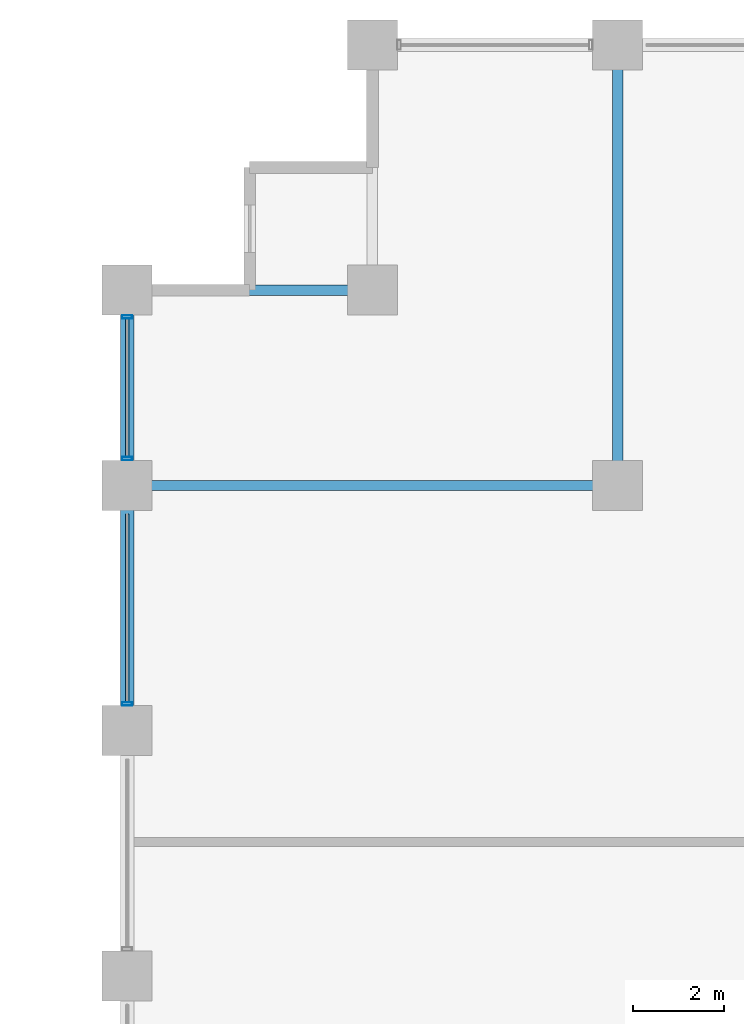
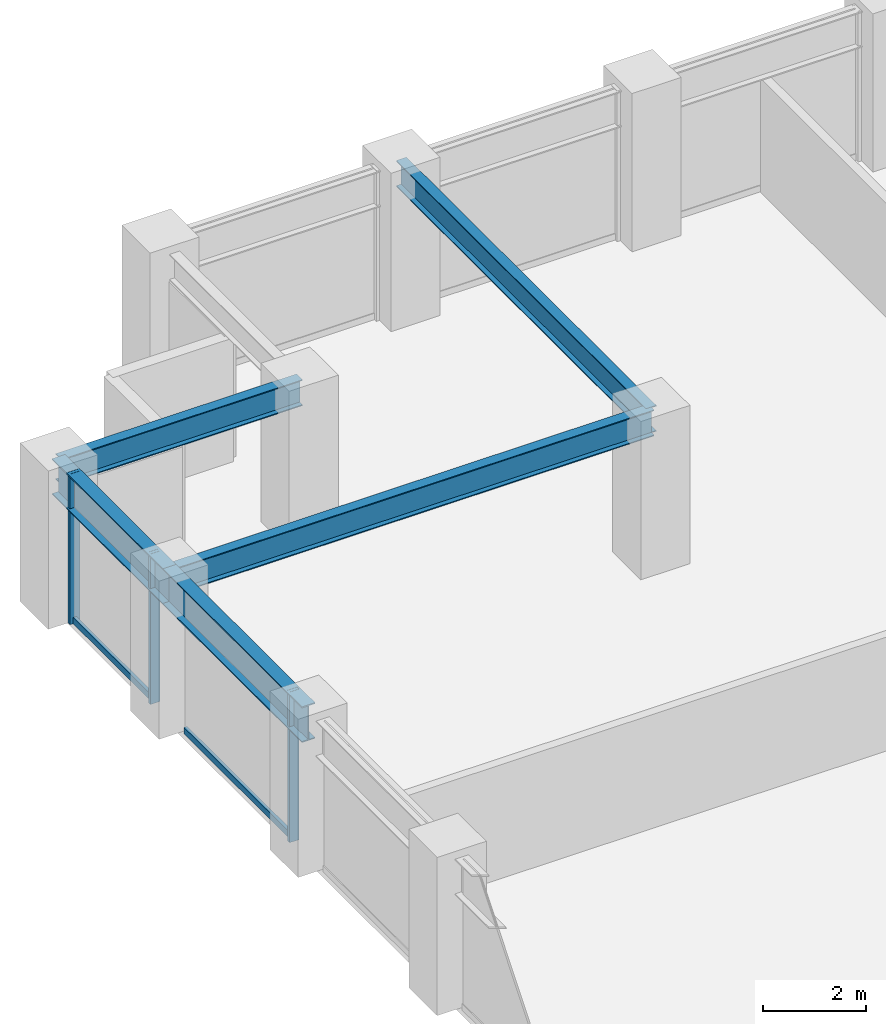
# One storey, part 12 of 29: 5 beams, 5 members, 1 element without a shape of its own.
"""IFC4 building model written with IfcOpenShell, lengths in metres."""

from ifc_helpers import new_model, si_unit, direction, frame, origin, origin_2d, place, context, subcontext, project, spatial, hollow_rectangle, i_section, extrude, material, layer, layer_set, material_profile, profile_set, type_object, element, aggregate, save


model = new_model("IFC4")

# Units and contexts
model_context = context("Model", 3, precision=1e-05, world=origin(), true_north=direction((0.0, 1.0)))
body_context = subcontext(model_context, "Body", "Model", "MODEL_VIEW")
ifc_project = project(units=[si_unit("LENGTHUNIT", "METRE"), si_unit("AREAUNIT", "SQUARE_METRE"), si_unit("VOLUMEUNIT", "CUBIC_METRE"), si_unit("PLANEANGLEUNIT", "RADIAN"), si_unit("MASSUNIT", "GRAM", prefix="KILO")], contexts=[model_context])

# Site, building, storey
site_placement = place(None, origin())
site = spatial("IfcSite", under=ifc_project, at=site_placement, CompositionType="ELEMENT")
building_placement = place(site_placement, origin())
building = spatial("IfcBuilding", under=site, at=building_placement, Name="Surkhivell Harbour Commons", CompositionType="ELEMENT")
storey_placement = place(building_placement, frame((0.0, 0.0, 90.75)))
storey = spatial("IfcBuildingStorey", under=building, at=storey_placement, Name="L23", CompositionType="ELEMENT", Elevation=90.75)

# Beams
ifc_material_1 = material(Name="Steel S355", Category="steel")
ifc_material_profile_1 = material_profile(ifc_material_1, i_section(OverallWidth=0.22998046875, OverallDepth=0.616943359375, WebThickness=0.01318359375, FlangeThickness=0.022216796875, at=origin_2d()), Name="UB610x229x140")
ifc_profile_set_1 = profile_set([ifc_material_profile_1], Name="Steel S355")
beam_type_1 = type_object("IfcBeamType", Name="BM-GRD-610B", PredefinedType="BEAM", material=ifc_profile_set_1)
beam_1_placement = place(storey_placement, frame((-32.39990234375, 16.199951171875, 3.261474609375), z_axis=(1.0, 0.0, 0.0), x_axis=(0.0, 1.0, 0.0)))
element("IfcBeam", 1, at=beam_1_placement, inside=storey, type_object=beam_type_1, Name="L23 Floor Girder (-32.4,16.2)", PredefinedType="BEAM", context=body_context, shape_type="SweptSolid", body=[
    extrude(i_section(OverallWidth=0.22998046875, OverallDepth=0.616943359375, WebThickness=0.01318359375, FlangeThickness=0.022216796875, at=origin_2d()), origin(), (0.0, 0.0, 1.0), 10.7998046875),
])
beam_2_placement = place(storey_placement, frame((-32.39990234375, 20.5, 3.261474609375), z_axis=(1.0, 0.0, 0.0), x_axis=(0.0, 1.0, 0.0)))
element("IfcBeam", 2, at=beam_2_placement, inside=storey, type_object=beam_type_1, Name="L23 Floor Girder (-32.4,20.5)", PredefinedType="BEAM", context=body_context, shape_type="SweptSolid", body=[
    extrude(i_section(OverallWidth=0.22998046875, OverallDepth=0.616943359375, WebThickness=0.01318359375, FlangeThickness=0.022216796875, at=origin_2d()), origin(), (0.0, 0.0, 1.0), 5.39990234375),
])
beam_3_placement = place(storey_placement, frame((-21.60009765625, 16.199951171875, 3.261474609375), z_axis=(0.0, 1.0, 0.0), x_axis=(-1.0, 0.0, 0.0)))
element("IfcBeam", 3, at=beam_3_placement, inside=storey, type_object=beam_type_1, Name="L23 Floor Girder (-21.6,16.2)", PredefinedType="BEAM", context=body_context, shape_type="SweptSolid", body=[
    extrude(i_section(OverallWidth=0.22998046875, OverallDepth=0.616943359375, WebThickness=0.01318359375, FlangeThickness=0.022216796875, at=origin_2d()), origin(), (0.0, 0.0, 1.0), 9.699951171875),
])
ifc_material_2 = material(Name="Steel S460", Category="steel")
ifc_material_profile_2 = material_profile(ifc_material_2, i_section(OverallWidth=0.2939453125, OverallDepth=0.85107421875, WebThickness=0.01611328125, FlangeThickness=0.02685546875, at=origin_2d()), Name="UB838x292x226")
ifc_profile_set_2 = profile_set([ifc_material_profile_2], Name="Steel S460")
beam_type_2 = type_object("IfcBeamType", Name="BM-SPN-838", PredefinedType="SPANDREL", material=ifc_profile_set_2)
beam_4_placement = place(storey_placement, frame((-32.39990234375, 10.800048828125, 3.14453125), z_axis=(0.0, 1.0, 0.0), x_axis=(-1.0, 0.0, 0.0)))
element("IfcBeam", 4, at=beam_4_placement, inside=storey, type_object=beam_type_2, Name="L23 Tube Spandrel (-32.4,10.8)", PredefinedType="SPANDREL", context=body_context, shape_type="SweptSolid", body=[
    extrude(i_section(OverallWidth=0.2939453125, OverallDepth=0.85107421875, WebThickness=0.01611328125, FlangeThickness=0.02685546875, at=origin_2d()), origin(), (0.0, 0.0, 1.0), 5.39990234375),
])
beam_5_placement = place(storey_placement, frame((-32.39990234375, 16.199951171875, 3.14453125), z_axis=(0.0, 1.0, 0.0), x_axis=(-1.0, 0.0, 0.0)))
element("IfcBeam", 5, at=beam_5_placement, inside=storey, type_object=beam_type_2, Name="L23 Tube Spandrel (-32.4,16.2)", PredefinedType="SPANDREL", context=body_context, shape_type="SweptSolid", body=[
    extrude(i_section(OverallWidth=0.2939453125, OverallDepth=0.85107421875, WebThickness=0.01611328125, FlangeThickness=0.02685546875, at=origin_2d()), origin(), (0.0, 0.0, 1.0), 4.300048828125),
])

# Curtain wall, members
ifc_material_3 = material(Name="Anodised pale-metal aluminium and insulated glazing", Category="aluminium")
ifc_layer = layer(ifc_material_3, 0.205078125)
ifc_layer_set = layer_set([ifc_layer], Name="Anodised pale-metal aluminium and insulated glazing")
curtain_wall_type = type_object("IfcCurtainWallType", Name="CW-SYS-Z2", PredefinedType="NOTDEFINED", material=ifc_layer_set)
curtain_wall_placement = place(storey_placement, origin())
curtain_wall = element("IfcCurtainWall", 6, at=curtain_wall_placement, inside=storey, type_object=curtain_wall_type, Name="L23 Curtain Wall CW-L23-E12R2", PredefinedType="NOTDEFINED")
ifc_material_4 = material(Name="Anodised pale-metal aluminium alloy 6063-T6", Category="aluminium")
ifc_material_profile_3 = material_profile(ifc_material_4, hollow_rectangle(XDim=0.074951171875, YDim=0.219970703125, WallThickness=0.00390625, at=origin_2d()), Name="ALU-MULL-75x220")
ifc_profile_set_3 = profile_set([ifc_material_profile_3], Name="Anodised pale-metal aluminium alloy 6063-T6")
member_type_1 = type_object("IfcMemberType", Name="CWM-220", PredefinedType="MULLION", material=ifc_profile_set_3)
member_1_placement = place(storey_placement, frame((-32.39990234375, 11.389404296875, 0.0), z_axis=(0.0, 0.0, 1.0), x_axis=(0.0, 1.0, 0.0)))
member_1 = element("IfcMember", 7, at=member_1_placement, type_object=member_type_1, Name="CW-Z2 mullion 4", PredefinedType="MULLION", context=body_context, shape_type="SweptSolid", body=[
    extrude(hollow_rectangle(XDim=0.074951171875, YDim=0.219970703125, WallThickness=0.00390625, at=origin_2d()), origin(), (0.0, 0.0, 1.0), 3.570068359375),
])
member_2_placement = place(storey_placement, frame((-32.39990234375, 16.78955078125, 0.0), z_axis=(0.0, 0.0, 1.0), x_axis=(0.0, 1.0, 0.0)))
member_2 = element("IfcMember", 8, at=member_2_placement, type_object=member_type_1, Name="CW-Z2 mullion 5", PredefinedType="MULLION", context=body_context, shape_type="SweptSolid", body=[
    extrude(hollow_rectangle(XDim=0.074951171875, YDim=0.219970703125, WallThickness=0.00390625, at=origin_2d()), origin(), (0.0, 0.0, 1.0), 3.570068359375),
])
member_3_placement = place(storey_placement, frame((-32.39990234375, 19.910400390625, 0.0), z_axis=(0.0, 0.0, 1.0), x_axis=(0.0, 1.0, 0.0)))
member_3 = element("IfcMember", 9, at=member_3_placement, type_object=member_type_1, Name="CW-Z2 mullion 6", PredefinedType="MULLION", context=body_context, shape_type="SweptSolid", body=[
    extrude(hollow_rectangle(XDim=0.074951171875, YDim=0.219970703125, WallThickness=0.00390625, at=origin_2d()), origin(), (0.0, 0.0, 1.0), 3.570068359375),
])
ifc_material_profile_4 = material_profile(ifc_material_4, hollow_rectangle(XDim=0.074951171875, YDim=0.14990234375, WallThickness=0.00341796875, at=origin_2d()), Name="ALU-TRAN-75x150")
ifc_profile_set_4 = profile_set([ifc_material_profile_4], Name="Anodised pale-metal aluminium alloy 6063-T6")
member_type_2 = type_object("IfcMemberType", Name="CWT-150", PredefinedType="USERDEFINED", material=ifc_profile_set_4)
member_4_placement = place(storey_placement, frame((-32.39990234375, 11.427001953125, 0.074951171875), z_axis=(0.0, 1.0, 0.0), x_axis=(-1.0, 0.0, 0.0)))
member_4 = element("IfcMember", 10, at=member_4_placement, type_object=member_type_2, Name="CW-Z2 transom 4.1", ObjectType="TRANSOM", PredefinedType="USERDEFINED", context=body_context, shape_type="SweptSolid", body=[
    extrude(hollow_rectangle(XDim=0.074951171875, YDim=0.14990234375, WallThickness=0.00341796875, at=origin_2d()), origin(), (0.0, 0.0, 1.0), 4.14599609375),
])
member_5_placement = place(storey_placement, frame((-32.39990234375, 16.826904296875, 0.074951171875), z_axis=(0.0, 1.0, 0.0), x_axis=(-1.0, 0.0, 0.0)))
member_5 = element("IfcMember", 11, at=member_5_placement, type_object=member_type_2, Name="CW-Z2 transom 5.1", ObjectType="TRANSOM", PredefinedType="USERDEFINED", context=body_context, shape_type="SweptSolid", body=[
    extrude(hollow_rectangle(XDim=0.074951171875, YDim=0.14990234375, WallThickness=0.00341796875, at=origin_2d()), origin(), (0.0, 0.0, 1.0), 3.046142578125),
])
aggregate(curtain_wall, [member_1, member_4, member_2, member_3, member_5])

save(model, "model.ifc")
